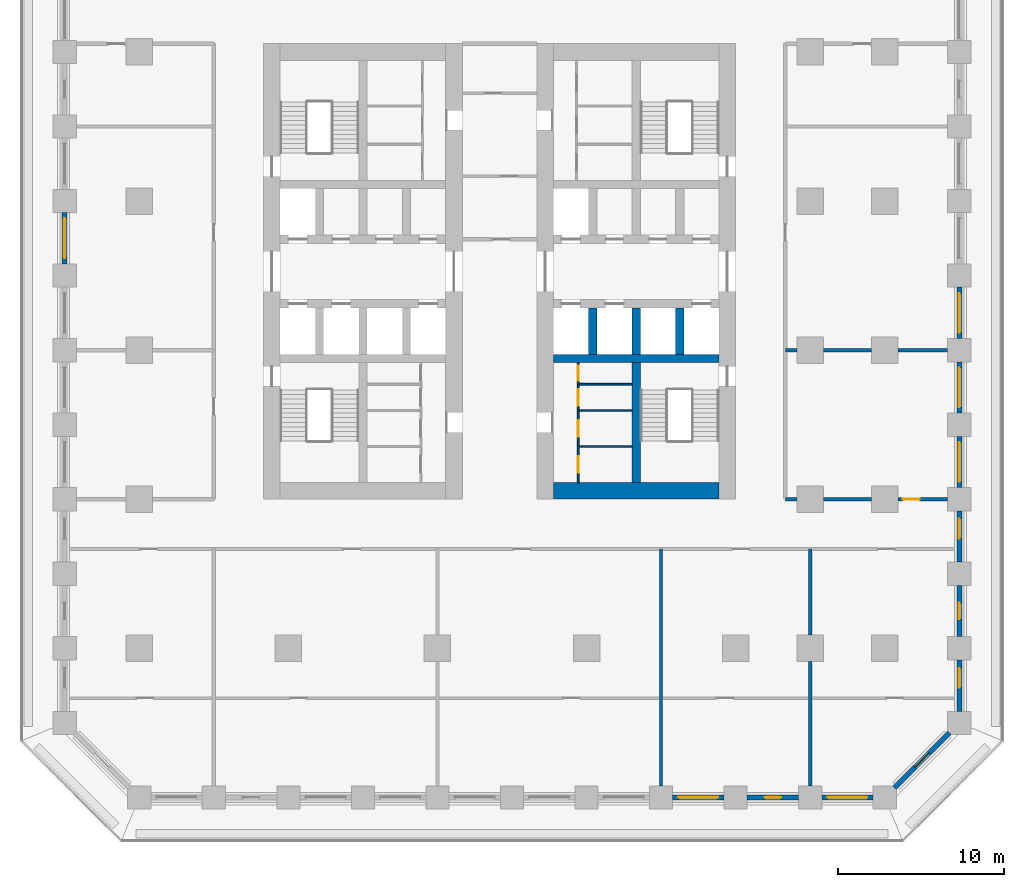
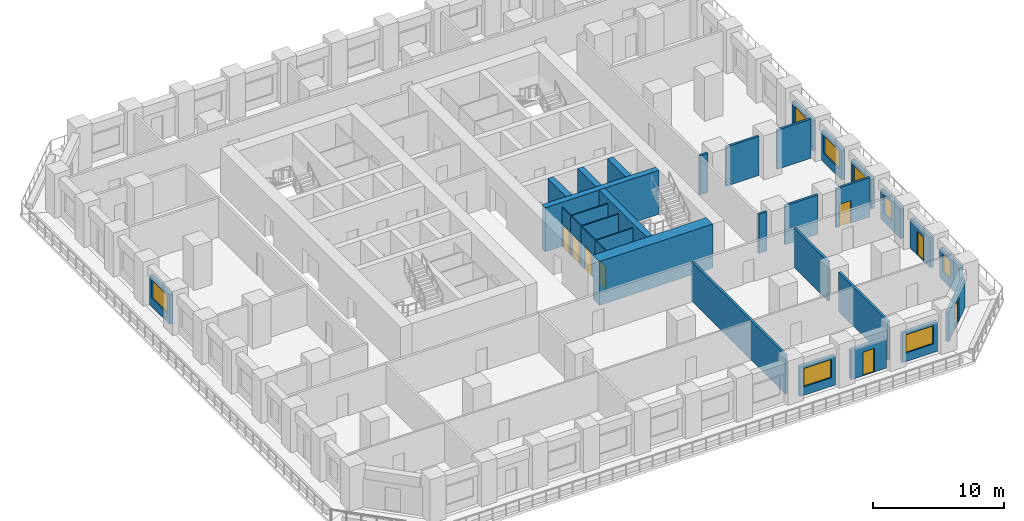
# One storey, part 4 of 11: 33 walls, 8 doors, 8 windows, 16 openings.
"""IFC4 building model written with IfcOpenShell, lengths in metres."""

import ifcopenshell
import ifcopenshell.guid

model = None  # the IFC model being written
_history = None  # IfcOwnerHistory: only IFC2X3 demands one
_inside = {}  # id of a spatial element -> (the spatial element, [elements in it])
_under = {}  # id of a project, library or spatial element -> (it, [spatial elements below it])
_declared = {}  # id of a project -> (the project, [libraries it declares])
_typed = {}  # id of a type object -> (the type object, [elements of that type])
_made_of = {}  # id of a material, layer set ... -> (it, [elements and type objects made of it])


def new_model(schema):
    """Start an empty IFC model of exactly this schema.

    Asked for "IFC4X3", IfcOpenShell would pick the latest addendum, in which some entities
    have other attributes; the version numbers below select the first issue.
    IFC2X3 requires an IfcOwnerHistory on every rooted entity: one is made here for all.
    """
    global model, _history
    if schema == "IFC4X3":
        model = ifcopenshell.file(schema_version=(4, 3, 0, 0))
    else:
        model = ifcopenshell.file(schema=schema)
    _inside.clear()
    _under.clear()
    _declared.clear()
    _typed.clear()
    _made_of.clear()
    _history = None
    if model.schema == "IFC2X3":
        org = make("IfcOrganization", Name="unknown")
        user = make(
            "IfcPersonAndOrganization",
            ThePerson=make("IfcPerson", FamilyName="unknown"),
            TheOrganization=org,
        )
        app = make(
            "IfcApplication",
            ApplicationDeveloper=org,
            Version="unknown",
            ApplicationFullName="unknown",
            ApplicationIdentifier="unknown",
        )
        _history = make(
            "IfcOwnerHistory",
            OwningUser=user,
            OwningApplication=app,
            ChangeAction="ADDED",
            CreationDate=0,
        )
    return model


def make(cls, **values):
    """One entity of the class cls with the attributes given. An attribute that is None is left unset."""
    return model.create_entity(
        cls, **{name: value for name, value in values.items() if value is not None}
    )


def rooted(cls, **values):
    """An entity with a GlobalId (a new one), such as an element, a storey or a relation."""
    return make(cls, GlobalId=ifcopenshell.guid.new(), OwnerHistory=_history, **values)


def si_unit(unit_type, name, prefix=None):
    """IfcSIUnit, for example si_unit("LENGTHUNIT", "METRE", prefix="MILLI")."""
    return make("IfcSIUnit", UnitType=unit_type, Prefix=prefix, Name=name)


def assignment(units):
    """IfcUnitAssignment: the units of a project."""
    return None if units is None else make("IfcUnitAssignment", Units=units)


def point(xyz):
    """IfcCartesianPoint."""
    return None if xyz is None else make("IfcCartesianPoint", Coordinates=xyz)


def direction(xyz):
    """IfcDirection."""
    return None if xyz is None else make("IfcDirection", DirectionRatios=xyz)


def frame(location, z_axis=None, x_axis=None):
    """IfcAxis2Placement3D, a coordinate frame: its origin and axes. An axis left out is left unset."""
    return make(
        "IfcAxis2Placement3D",
        Location=point(location),
        Axis=direction(z_axis),
        RefDirection=direction(x_axis),
    )


def frame_2d(location, x_axis=None):
    """IfcAxis2Placement2D, a coordinate frame in the plane: its origin and x axis."""
    return make(
        "IfcAxis2Placement2D", Location=point(location), RefDirection=direction(x_axis)
    )


def origin():
    """The frame at (0, 0, 0) with its axes left unset."""
    return frame((0.0, 0.0, 0.0))


def place(relative_to, where):
    """IfcLocalPlacement: puts the frame where relative to a parent placement (None: the world)."""
    return make(
        "IfcLocalPlacement", PlacementRelTo=relative_to, RelativePlacement=where
    )


def context(
    kind, dimensions, precision=None, world=None, true_north=None, identifier=None
):
    """IfcGeometricRepresentationContext, for example the 3D "Model" context."""
    return make(
        "IfcGeometricRepresentationContext",
        ContextIdentifier=identifier,
        ContextType=kind,
        CoordinateSpaceDimension=dimensions,
        Precision=precision,
        WorldCoordinateSystem=world,
        TrueNorth=true_north,
    )


def subcontext(parent, identifier, kind, view, scale=None):
    """IfcGeometricRepresentationSubContext, for example "Body" below "Model"."""
    return make(
        "IfcGeometricRepresentationSubContext",
        ContextIdentifier=identifier,
        ContextType=kind,
        ParentContext=parent,
        TargetScale=scale,
        TargetView=view,
    )


def project(units=None, contexts=None):
    """IfcProject with its units and contexts."""
    return rooted(
        "IfcProject",
        Name="project",
        RepresentationContexts=contexts,
        UnitsInContext=assignment(units),
    )


def spatial(cls, under=None, at=None, **own):
    """A site, building, storey or space (cls), placed at a placement, below another one or the project."""
    s = rooted(cls, ObjectPlacement=at, **own)
    if under is not None:
        _under.setdefault(under.id(), (under, []))[1].append(s)
    return s


def profile(cls, at=None, kind="AREA", **sizes):
    """A parametric profile (cls). Its sizes go by their IFC names, for example OverallWidth=200.0."""
    return make(cls, ProfileType=kind, Position=at, **sizes)


def rectangle(**sizes):
    """IfcRectangleProfileDef."""
    return profile("IfcRectangleProfileDef", **sizes)


def extrude(swept, where, along, depth):
    """IfcExtrudedAreaSolid: the profile swept, set in the frame where, extruded along a direction by depth."""
    return make(
        "IfcExtrudedAreaSolid",
        SweptArea=swept,
        Position=where,
        ExtrudedDirection=direction(along),
        Depth=depth,
    )


def shape(context_of_items, identifier, shape_type, items):
    """IfcShapeRepresentation: the items that make up one representation, for example the "Body"."""
    return make(
        "IfcShapeRepresentation",
        ContextOfItems=context_of_items,
        RepresentationIdentifier=identifier,
        RepresentationType=shape_type,
        Items=items,
    )


def material(Name=None, Category=None):
    """IfcMaterial."""
    return make("IfcMaterial", Name=Name, Category=Category)


def layer(
    of_material, thickness, ventilated=None, Name=None, Category=None, Priority=None
):
    """IfcMaterialLayer: one layer of a wall or slab, of a material (None: an air gap)."""
    return make(
        "IfcMaterialLayer",
        Material=of_material,
        LayerThickness=thickness,
        IsVentilated=ventilated,
        Name=Name,
        Category=Category,
        Priority=Priority,
    )


def layer_set(layers, Name=None):
    """IfcMaterialLayerSet."""
    return make("IfcMaterialLayerSet", MaterialLayers=layers, LayerSetName=Name)


def made_of(thing, what):
    """Note that an element or type object is made of a material, layer set ...; save() writes the relation."""
    if what is not None:
        _made_of.setdefault(what.id(), (what, []))[1].append(thing)
    return thing


def type_object(cls, material=None, **own):
    """A type object (cls), such as IfcWallType, which elements share."""
    return made_of(rooted(cls, **own), material)


def element(
    cls,
    number,
    at=None,
    inside=None,
    cuts=None,
    type_object=None,
    material=None,
    context=None,
    identifier="Body",
    shape_type=None,
    held_by="IfcProductDefinitionShape",
    body=None,
    shapes=None,
    **own,
):
    """One element of the class cls, such as IfcWall. Its Tag is "e" and its number.

    at: its placement. inside: the storey or other place that contains it. cuts: it is an
    opening in that element (IfcRelVoidsElement). A single representation is given by context,
    identifier, shape_type and body (its items); several are given by shapes. held_by: the class
    of the entity that holds the representations. save() writes the other relations.
    """
    e = rooted(cls, Tag="e%d" % number, ObjectPlacement=at, **own)
    if body is not None:
        shapes = [shape(context, identifier, shape_type, body)]
    if shapes is not None:
        e.Representation = make(held_by, Representations=shapes)
    if inside is not None:
        _inside.setdefault(inside.id(), (inside, []))[1].append(e)
    if cuts is not None:
        rooted(
            "IfcRelVoidsElement", RelatingBuildingElement=cuts, RelatedOpeningElement=e
        )
    if type_object is not None:
        _typed.setdefault(type_object.id(), (type_object, []))[1].append(e)
    return made_of(e, material)


def fill(opening, filler):
    """IfcRelFillsElement: the door or window that sits in an opening."""
    return rooted(
        "IfcRelFillsElement",
        RelatingOpeningElement=opening,
        RelatedBuildingElement=filler,
    )


def aggregate(whole, parts):
    """IfcRelAggregates: a whole, such as a stair, and the parts it consists of."""
    return rooted("IfcRelAggregates", RelatingObject=whole, RelatedObjects=parts)


def save(model, path):
    """Write the relations noted so far, then the file.

    IfcRelAggregates (storeys below a building ...), IfcRelContainedInSpatialStructure (elements
    in a storey), IfcRelDefinesByType, IfcRelAssociatesMaterial and IfcRelDeclares: one each for
    every whole, place, type object, material and project.
    """
    for whole, parts in _under.values():
        aggregate(whole, parts)
    for where, things in _inside.values():
        rooted(
            "IfcRelContainedInSpatialStructure",
            RelatedElements=things,
            RelatingStructure=where,
        )
    for kind, things in _typed.values():
        rooted("IfcRelDefinesByType", RelatedObjects=things, RelatingType=kind)
    for what, things in _made_of.values():
        rooted("IfcRelAssociatesMaterial", RelatedObjects=things, RelatingMaterial=what)
    for by, libraries in _declared.values():
        rooted("IfcRelDeclares", RelatingContext=by, RelatedDefinitions=libraries)
    model.write(path)


model = new_model("IFC4")

# Units and contexts
model_context = context("Model", 3, precision=1e-05, world=origin(), true_north=direction((0.0, 1.0)))
body_context = subcontext(model_context, "Body", "Model", "MODEL_VIEW")
ifc_project = project(units=[si_unit("LENGTHUNIT", "METRE"), si_unit("AREAUNIT", "SQUARE_METRE"), si_unit("VOLUMEUNIT", "CUBIC_METRE"), si_unit("PLANEANGLEUNIT", "RADIAN"), si_unit("MASSUNIT", "GRAM", prefix="KILO")], contexts=[model_context])

# Site, building, storey
site_placement = place(None, origin())
site = spatial("IfcSite", under=ifc_project, at=site_placement, CompositionType="ELEMENT")
building_placement = place(site_placement, origin())
building = spatial("IfcBuilding", under=site, at=building_placement, Name="Corbel Stack Research Tower", CompositionType="ELEMENT")
storey_placement = place(building_placement, frame((0.0, 0.0, 46.0)))
storey = spatial("IfcBuildingStorey", under=building, at=storey_placement, Name="L10", CompositionType="ELEMENT", Elevation=46.0)

# Walls
ifc_material_1 = material(Name="Concrete C70/85", Category="concrete")
ifc_layer_1 = layer(ifc_material_1, 1.0)
ifc_layer_set_1 = layer_set([ifc_layer_1], Name="Concrete C70/85")
wall_type_1 = type_object("IfcWallType", Name="CW-1000-70", PredefinedType="SHEAR", material=ifc_layer_set_1)
wall_1_placement = place(storey_placement, frame((7.0, -8.5, 0.0), z_axis=(0.0, 0.0, 1.0), x_axis=(1.0, 0.0, 0.0)))
element("IfcWall", 1, at=wall_1_placement, inside=storey, type_object=wall_type_1, Name="East core wall, south end L10", PredefinedType="SHEAR", context=body_context, shape_type="SweptSolid", body=[
    extrude(rectangle(XDim=10.0, YDim=1.0, at=frame_2d((5.0, 0.0))), origin(), (0.0, 0.0, 1.0), 4.10009765625),
])
ifc_material_2 = material(Name="Concrete C70/85", Category="concrete")
ifc_layer_2 = layer(ifc_material_2, 0.5)
ifc_layer_set_2 = layer_set([ifc_layer_2], Name="Concrete C70/85")
wall_type_2 = type_object("IfcWallType", Name="CW-500-70", PredefinedType="SHEAR", material=ifc_layer_set_2)
wall_2_placement = place(storey_placement, frame((7.0, -0.5, 0.0), z_axis=(0.0, 0.0, 1.0), x_axis=(1.0, 0.0, 0.0)))
element("IfcWall", 2, at=wall_2_placement, inside=storey, type_object=wall_type_2, Name="East core wall, south row back L10", PredefinedType="SHEAR", context=body_context, shape_type="SweptSolid", body=[
    extrude(rectangle(XDim=10.0, YDim=0.5, at=frame_2d((5.0, 0.0))), origin(), (0.0, 0.0, 1.0), 4.10009765625),
])
for number, where, z_axis, x_axis, name in (
    (3, (9.375, -0.25, 0.0), (0.0, 0.0, 1.0), (0.0, 1.0, 0.0), "East core wall, south shaft 1 L10"),
    (4, (12.0, -0.25, 0.0), (0.0, 0.0, 1.0), (0.0, 1.0, 0.0), "East core wall, south shaft 2 L10"),
    (5, (14.625, -0.25, 0.0), (0.0, 0.0, 1.0), (0.0, 1.0, 0.0), "East core wall, south shaft 3 L10"),
):
    element("IfcWall", number, at=place(storey_placement, frame(where, z_axis=z_axis, x_axis=x_axis)), inside=storey, type_object=wall_type_2, Name=name, PredefinedType="SHEAR", context=body_context, shape_type="SweptSolid", body=[
        extrude(rectangle(XDim=2.800048828125, YDim=0.5, at=frame_2d((1.39990234375, 0.0))), origin(), (0.0, 0.0, 1.0), 4.10009765625),
    ])
wall_3_placement = place(storey_placement, frame((12.0, -8.0, 0.0), z_axis=(0.0, 0.0, 1.0), x_axis=(0.0, 1.0, 0.0)))
element("IfcWall", 6, at=wall_3_placement, inside=storey, type_object=wall_type_2, Name="East core wall, south stair and WC L10", PredefinedType="SHEAR", context=body_context, shape_type="SweptSolid", body=[
    extrude(rectangle(XDim=7.25, YDim=0.5, at=frame_2d((3.625, 0.0))), origin(), (0.0, 0.0, 1.0), 4.10009765625),
])

# Wall, opening, door
ifc_material_3 = material(Name="Gypsum board")
ifc_layer_3 = layer(ifc_material_3, 0.10009765625)
ifc_layer_set_3 = layer_set([ifc_layer_3], Name="Gypsum board")
wall_type_3 = type_object("IfcWallType", Name="Core partition 100", PredefinedType="PARTITIONING", material=ifc_layer_set_3)
wall_4_placement = place(storey_placement, frame((8.5, -8.0, 0.0), z_axis=(0.0, 0.0, 1.0), x_axis=(0.0, 1.0, 0.0)))
wall_4 = element("IfcWall", 7, at=wall_4_placement, inside=storey, type_object=wall_type_3, Name="Core partition E", PredefinedType="PARTITIONING", context=body_context, shape_type="SweptSolid", body=[
    extrude(rectangle(XDim=2.175048828125, YDim=0.10009765625, at=frame_2d((1.08740234375, 0.0))), origin(), (0.0, 0.0, 1.0), 3.64990234375),
])
opening_1_placement = place(wall_4_placement, frame((0.58740234375, 0.0, 0.0)))
opening_1 = element("IfcOpeningElement", 8, at=opening_1_placement, cuts=wall_4, Name="Opening CR-E42-W2-1000", PredefinedType="OPENING", context=body_context, shape_type="SweptSolid", body=[
    extrude(rectangle(XDim=1.0, YDim=2.10009765625, at=frame_2d((0.5, 1.050048828125))), frame((0.0, 0.06005859375, 0.0), z_axis=(0.0, -1.0, 0.0), x_axis=(1.0, 0.0, 0.0)), (0.0, 0.0, 1.0), 0.1201171875),
])
ifc_material_4 = material(Name="Painted timber door", Category="wood")
door_type_1 = type_object("IfcDoorType", Name="WC door 1000 x 2100 left hand", OperationType="SINGLE_SWING_LEFT", PredefinedType="DOOR", material=ifc_material_4)
door_1_placement = place(opening_1_placement, origin())
door_1 = element("IfcDoor", 9, at=door_1_placement, inside=storey, type_object=door_type_1, Name="Men's WC door E core", OperationType="SINGLE_SWING_LEFT", OverallHeight=2.10009765625, OverallWidth=1.0, PredefinedType="DOOR", context=body_context, shape_type="SweptSolid", body=[
    extrude(rectangle(XDim=1.0, YDim=2.10009765625, at=frame_2d((0.5, 1.050048828125))), frame((0.0, 0.02490234375, 0.0), z_axis=(0.0, -1.0, 0.0), x_axis=(1.0, 0.0, 0.0)), (0.0, 0.0, 1.0), 0.050048828125),
])
fill(opening_1, door_1)

wall_5_placement = place(storey_placement, frame((8.5, -5.824951171875, 0.0), z_axis=(0.0, 0.0, 1.0), x_axis=(0.0, 1.0, 0.0)))
wall_5 = element("IfcWall", 10, at=wall_5_placement, inside=storey, type_object=wall_type_3, Name="Core partition E", PredefinedType="PARTITIONING", context=body_context, shape_type="SweptSolid", body=[
    extrude(rectangle(XDim=2.175048828125, YDim=0.10009765625, at=frame_2d((1.08740234375, 0.0))), origin(), (0.0, 0.0, 1.0), 3.64990234375),
])
opening_2_placement = place(wall_5_placement, frame((0.58740234375, 0.0, 0.0)))
opening_2 = element("IfcOpeningElement", 11, at=opening_2_placement, cuts=wall_5, Name="Opening CR-E42-W3-1000", PredefinedType="OPENING", context=body_context, shape_type="SweptSolid", body=[
    extrude(rectangle(XDim=1.0, YDim=2.10009765625, at=frame_2d((0.5, 1.050048828125))), frame((0.0, 0.06005859375, 0.0), z_axis=(0.0, -1.0, 0.0), x_axis=(1.0, 0.0, 0.0)), (0.0, 0.0, 1.0), 0.1201171875),
])
ifc_material_5 = material(Name="Painted timber door", Category="wood")
door_type_2 = type_object("IfcDoorType", Name="WC door 1000 x 2100 right hand", OperationType="SINGLE_SWING_RIGHT", PredefinedType="DOOR", material=ifc_material_5)
door_2_placement = place(opening_2_placement, origin())
door_2 = element("IfcDoor", 12, at=door_2_placement, inside=storey, type_object=door_type_2, Name="Women's WC door E core", OperationType="SINGLE_SWING_RIGHT", OverallHeight=2.10009765625, OverallWidth=1.0, PredefinedType="DOOR", context=body_context, shape_type="SweptSolid", body=[
    extrude(rectangle(XDim=1.0, YDim=2.10009765625, at=frame_2d((0.5, 1.050048828125))), frame((0.0, 0.02490234375, 0.0), z_axis=(0.0, -1.0, 0.0), x_axis=(1.0, 0.0, 0.0)), (0.0, 0.0, 1.0), 0.050048828125),
])
fill(opening_2, door_2)

wall_6_placement = place(storey_placement, frame((8.5, -3.64990234375, 0.0), z_axis=(0.0, 0.0, 1.0), x_axis=(0.0, 1.0, 0.0)))
wall_6 = element("IfcWall", 13, at=wall_6_placement, inside=storey, type_object=wall_type_3, Name="Core partition E", PredefinedType="PARTITIONING", context=body_context, shape_type="SweptSolid", body=[
    extrude(rectangle(XDim=1.594970703125, YDim=0.10009765625, at=frame_2d((0.79736328125, 0.0))), origin(), (0.0, 0.0, 1.0), 3.64990234375),
])
opening_3_placement = place(wall_6_placement, frame((0.297607421875, 0.0, 0.0)))
opening_3 = element("IfcOpeningElement", 14, at=opening_3_placement, cuts=wall_6, Name="Opening CR-E42-W4-1000", PredefinedType="OPENING", context=body_context, shape_type="SweptSolid", body=[
    extrude(rectangle(XDim=1.0, YDim=2.10009765625, at=frame_2d((0.5, 1.050048828125))), frame((0.0, 0.06005859375, 0.0), z_axis=(0.0, -1.0, 0.0), x_axis=(1.0, 0.0, 0.0)), (0.0, 0.0, 1.0), 0.1201171875),
])
door_3_placement = place(opening_3_placement, origin())
door_3 = element("IfcDoor", 15, at=door_3_placement, inside=storey, type_object=door_type_1, Name="Accessible WC door E core", OperationType="SINGLE_SWING_LEFT", OverallHeight=2.10009765625, OverallWidth=1.0, PredefinedType="DOOR", context=body_context, shape_type="SweptSolid", body=[
    extrude(rectangle(XDim=1.0, YDim=2.10009765625, at=frame_2d((0.5, 1.050048828125))), frame((0.0, 0.02490234375, 0.0), z_axis=(0.0, -1.0, 0.0), x_axis=(1.0, 0.0, 0.0)), (0.0, 0.0, 1.0), 0.050048828125),
])
fill(opening_3, door_3)

wall_7_placement = place(storey_placement, frame((8.5, -2.054931640625, 0.0), z_axis=(0.0, 0.0, 1.0), x_axis=(0.0, 1.0, 0.0)))
wall_7 = element("IfcWall", 16, at=wall_7_placement, inside=storey, type_object=wall_type_3, Name="Core partition E", PredefinedType="PARTITIONING", context=body_context, shape_type="SweptSolid", body=[
    extrude(rectangle(XDim=1.304931640625, YDim=0.10009765625, at=frame_2d((0.65234375, 0.0))), origin(), (0.0, 0.0, 1.0), 3.64990234375),
])
opening_4_placement = place(wall_7_placement, frame((0.199951171875, 0.0, 0.0)))
opening_4 = element("IfcOpeningElement", 17, at=opening_4_placement, cuts=wall_7, Name="Opening CR-E42-W5-905", PredefinedType="OPENING", context=body_context, shape_type="SweptSolid", body=[
    extrude(rectangle(XDim=0.905029296875, YDim=2.10009765625, at=frame_2d((0.45263671875, 1.050048828125))), frame((0.0, 0.06005859375, 0.0), z_axis=(0.0, -1.0, 0.0), x_axis=(1.0, 0.0, 0.0)), (0.0, 0.0, 1.0), 0.1201171875),
])
ifc_material_6 = material(Name="Painted steel door", Category="steel")
door_type_3 = type_object("IfcDoorType", Name="Service door 905 x 2100 FD30 right hand", OperationType="SINGLE_SWING_RIGHT", PredefinedType="DOOR", material=ifc_material_6)
door_4_placement = place(opening_4_placement, origin())
door_4 = element("IfcDoor", 18, at=door_4_placement, inside=storey, type_object=door_type_3, Name="Cleaner's store door E core", OperationType="SINGLE_SWING_RIGHT", OverallHeight=2.10009765625, OverallWidth=0.905029296875, PredefinedType="DOOR", context=body_context, shape_type="SweptSolid", body=[
    extrude(rectangle(XDim=0.905029296875, YDim=2.10009765625, at=frame_2d((0.45263671875, 1.050048828125))), frame((0.0, 0.02490234375, 0.0), z_axis=(0.0, -1.0, 0.0), x_axis=(1.0, 0.0, 0.0)), (0.0, 0.0, 1.0), 0.050048828125),
])
fill(opening_4, door_4)

# Walls
for number, where, z_axis, x_axis, name in (
    (19, (8.5, -5.824951171875, 0.0), (0.0, 0.0, 1.0), (1.0, 0.0, 0.0), "Core partition E"),
    (20, (8.5, -3.64990234375, 0.0), (0.0, 0.0, 1.0), (1.0, 0.0, 0.0), "Core partition E"),
    (21, (8.5, -2.054931640625, 0.0), (0.0, 0.0, 1.0), (1.0, 0.0, 0.0), "Core partition E"),
):
    element("IfcWall", number, at=place(storey_placement, frame(where, z_axis=z_axis, x_axis=x_axis)), inside=storey, type_object=wall_type_3, Name=name, PredefinedType="PARTITIONING", context=body_context, shape_type="SweptSolid", body=[
        extrude(rectangle(XDim=3.25, YDim=0.10009765625, at=frame_2d((1.625, 0.0))), origin(), (0.0, 0.0, 1.0), 3.64990234375),
    ])
ifc_material_7 = material(Name="Fire-rated gypsum board partition on steel studs", Category="steel")
ifc_layer_4 = layer(ifc_material_7, 0.199951171875)
ifc_layer_set_4 = layer_set([ifc_layer_4], Name="Fire-rated gypsum board partition on steel studs")
wall_type_4 = type_object("IfcWallType", Name="Fire-rated partition 200 EI 60", PredefinedType="PARTITIONING", material=ifc_layer_set_4)
wall_8_placement = place(storey_placement, frame((13.5, -26.300048828125, 0.0), z_axis=(0.0, 0.0, 1.0), x_axis=(0.0, 1.0, 0.0)))
element("IfcWall", 22, at=wall_8_placement, inside=storey, type_object=wall_type_4, Name="Partition L10-007", PredefinedType="PARTITIONING", context=body_context, shape_type="SweptSolid", body=[
    extrude(rectangle(XDim=14.300048828125, YDim=0.199951171875, at=frame_2d((7.14990234375, 0.0))), origin(), (0.0, 0.0, 1.0), 3.64990234375),
])
wall_9_placement = place(storey_placement, frame((22.5, -26.300048828125, 0.0), z_axis=(0.0, 0.0, 1.0), x_axis=(0.0, 1.0, 0.0)))
element("IfcWall", 23, at=wall_9_placement, inside=storey, type_object=wall_type_4, Name="Partition L10-010", PredefinedType="PARTITIONING", context=body_context, shape_type="SweptSolid", body=[
    extrude(rectangle(XDim=7.5, YDim=0.199951171875, at=frame_2d((3.75, 0.0))), origin(), (0.0, 0.0, 1.0), 3.64990234375),
])
wall_10_placement = place(storey_placement, frame((22.5, -17.199951171875, 0.0), z_axis=(0.0, 0.0, 1.0), x_axis=(0.0, 1.0, 0.0)))
element("IfcWall", 24, at=wall_10_placement, inside=storey, type_object=wall_type_4, Name="Partition L10-011", PredefinedType="PARTITIONING", context=body_context, shape_type="SweptSolid", body=[
    extrude(rectangle(XDim=5.199951171875, YDim=0.199951171875, at=frame_2d((2.60009765625, 0.0))), origin(), (0.0, 0.0, 1.0), 3.64990234375),
])
wall_11_placement = place(storey_placement, frame((21.0, -9.0, 0.0), z_axis=(0.0, 0.0, 1.0), x_axis=(1.0, 0.0, 0.0)))
element("IfcWall", 25, at=wall_11_placement, inside=storey, type_object=wall_type_4, Name="Partition L10-017", PredefinedType="PARTITIONING", context=body_context, shape_type="SweptSolid", body=[
    extrude(rectangle(XDim=0.699951171875, YDim=0.199951171875, at=frame_2d((0.35009765625, 0.0))), origin(), (0.0, 0.0, 1.0), 3.64990234375),
])
wall_12_placement = place(storey_placement, frame((23.300048828125, -9.0, 0.0), z_axis=(0.0, 0.0, 1.0), x_axis=(1.0, 0.0, 0.0)))
element("IfcWall", 26, at=wall_12_placement, inside=storey, type_object=wall_type_4, Name="Partition L10-018", PredefinedType="PARTITIONING", context=body_context, shape_type="SweptSolid", body=[
    extrude(rectangle(XDim=2.89990234375, YDim=0.199951171875, at=frame_2d((1.449951171875, 0.0))), origin(), (0.0, 0.0, 1.0), 3.64990234375),
])

# Wall, opening, door
wall_13_placement = place(storey_placement, frame((27.800048828125, -9.0, 0.0), z_axis=(0.0, 0.0, 1.0), x_axis=(1.0, 0.0, 0.0)))
wall_13 = element("IfcWall", 27, at=wall_13_placement, inside=storey, type_object=wall_type_4, Name="Partition L10-019", PredefinedType="PARTITIONING", context=body_context, shape_type="SweptSolid", body=[
    extrude(rectangle(XDim=3.0, YDim=0.199951171875, at=frame_2d((1.5, 0.0))), origin(), (0.0, 0.0, 1.0), 3.64990234375),
])
opening_5_placement = place(wall_13_placement, frame((0.300048828125, 0.0, 0.0)))
opening_5 = element("IfcOpeningElement", 28, at=opening_5_placement, cuts=wall_13, Name="Opening B2V1-013", PredefinedType="OPENING", context=body_context, shape_type="SweptSolid", body=[
    extrude(rectangle(XDim=1.0, YDim=2.10009765625, at=frame_2d((0.5, 1.050048828125))), frame((0.0, 0.10986328125, 0.0), z_axis=(0.0, -1.0, 0.0), x_axis=(1.0, 0.0, 0.0)), (0.0, 0.0, 1.0), 0.219970703125),
])
ifc_material_8 = material(Name="Painted steel fire door", Category="steel")
door_type_4 = type_object("IfcDoorType", Name="Fire door FD30S 1000 x 2100", OperationType="NOTDEFINED", PredefinedType="DOOR", material=ifc_material_8)
door_5_placement = place(opening_5_placement, origin())
door_5 = element("IfcDoor", 29, at=door_5_placement, inside=storey, type_object=door_type_4, Name="Door B2V1-013", OperationType="SINGLE_SWING_LEFT", OverallHeight=2.10009765625, OverallWidth=1.0, PredefinedType="DOOR", context=body_context, shape_type="SweptSolid", body=[
    extrude(rectangle(XDim=1.0, YDim=2.10009765625, at=frame_2d((0.5, 1.050048828125))), frame((0.0, 0.02490234375, 0.0), z_axis=(0.0, -1.0, 0.0), x_axis=(1.0, 0.0, 0.0)), (0.0, 0.0, 1.0), 0.050048828125),
])
fill(opening_5, door_5)

# Walls
wall_14_placement = place(storey_placement, frame((21.0, 0.0, 0.0), z_axis=(0.0, 0.0, 1.0), x_axis=(1.0, 0.0, 0.0)))
element("IfcWall", 30, at=wall_14_placement, inside=storey, type_object=wall_type_4, Name="Partition L10-022", PredefinedType="PARTITIONING", context=body_context, shape_type="SweptSolid", body=[
    extrude(rectangle(XDim=0.699951171875, YDim=0.199951171875, at=frame_2d((0.35009765625, 0.0))), origin(), (0.0, 0.0, 1.0), 3.64990234375),
])
wall_15_placement = place(storey_placement, frame((23.300048828125, 0.0, 0.0), z_axis=(0.0, 0.0, 1.0), x_axis=(1.0, 0.0, 0.0)))
element("IfcWall", 31, at=wall_15_placement, inside=storey, type_object=wall_type_4, Name="Partition L10-023", PredefinedType="PARTITIONING", context=body_context, shape_type="SweptSolid", body=[
    extrude(rectangle(XDim=2.89990234375, YDim=0.199951171875, at=frame_2d((1.449951171875, 0.0))), origin(), (0.0, 0.0, 1.0), 3.64990234375),
])
wall_16_placement = place(storey_placement, frame((27.800048828125, 0.0, 0.0), z_axis=(0.0, 0.0, 1.0), x_axis=(1.0, 0.0, 0.0)))
element("IfcWall", 32, at=wall_16_placement, inside=storey, type_object=wall_type_4, Name="Partition L10-024", PredefinedType="PARTITIONING", context=body_context, shape_type="SweptSolid", body=[
    extrude(rectangle(XDim=3.0, YDim=0.199951171875, at=frame_2d((1.5, 0.0))), origin(), (0.0, 0.0, 1.0), 3.64990234375),
])

# Wall, opening, window
ifc_material_9 = material(Name="Concrete C45/55", Category="concrete")
ifc_layer_5 = layer(ifc_material_9, 0.300048828125)
ifc_layer_set_5 = layer_set([ifc_layer_5], Name="Concrete C45/55")
wall_type_5 = type_object("IfcWallType", Name="Terracotta-faced concrete wall 300", PredefinedType="SOLIDWALL", material=ifc_layer_set_5)
wall_17_placement = place(storey_placement, frame((17.300048828125, -27.0, 0.0), z_axis=(0.0, 0.0, 1.0), x_axis=(-1.0, 0.0, 0.0)))
wall_17 = element("IfcWall", 33, at=wall_17_placement, inside=storey, type_object=wall_type_5, Name="Facade wall L10 S08", PredefinedType="SOLIDWALL", context=body_context, shape_type="SweptSolid", body=[
    extrude(rectangle(XDim=3.10009765625, YDim=0.300048828125, at=frame_2d((1.550048828125, 0.0))), origin(), (0.0, 0.0, 1.0), 2.75),
])
opening_6_placement = place(wall_17_placement, frame((0.35009765625, 0.0, 0.800048828125)))
opening_6 = element("IfcOpeningElement", 34, at=opening_6_placement, cuts=wall_17, Name="Opening W1", PredefinedType="OPENING", context=body_context, shape_type="SweptSolid", body=[
    extrude(rectangle(XDim=2.39990234375, YDim=1.699951171875, at=frame_2d((1.199951171875, 0.85009765625))), frame((0.0, 0.159912109375, 0.0), z_axis=(0.0, -1.0, 0.0), x_axis=(1.0, 0.0, 0.0)), (0.0, 0.0, 1.0), 0.320068359375),
])
ifc_material_10 = material(Name="Aluminium frame, clear double glazing", Category="aluminium")
window_type_1 = type_object("IfcWindowType", Name="Window W1 2400 x 1700", PartitioningType="SINGLE_PANEL", PredefinedType="WINDOW", material=ifc_material_10)
window_1_placement = place(opening_6_placement, origin())
window_1 = element("IfcWindow", 35, at=window_1_placement, inside=storey, type_object=window_type_1, Name="Window W1 L10 S08", OverallHeight=1.699951171875, OverallWidth=2.39990234375, PartitioningType="SINGLE_PANEL", PredefinedType="WINDOW", context=body_context, shape_type="SweptSolid", body=[
    extrude(rectangle(XDim=2.39990234375, YDim=1.699951171875, at=frame_2d((1.199951171875, 0.85009765625))), frame((0.0, 0.030029296875, 0.0), z_axis=(0.0, -1.0, 0.0), x_axis=(1.0, 0.0, 0.0)), (0.0, 0.0, 1.0), 0.06005859375),
])
fill(opening_6, window_1)

# Wall, opening, door
wall_18_placement = place(storey_placement, frame((21.800048828125, -27.0, 0.0), z_axis=(0.0, 0.0, 1.0), x_axis=(-1.0, 0.0, 0.0)))
wall_18 = element("IfcWall", 36, at=wall_18_placement, inside=storey, type_object=wall_type_5, Name="Facade wall L10 S09", PredefinedType="SOLIDWALL", context=body_context, shape_type="SweptSolid", body=[
    extrude(rectangle(XDim=3.10009765625, YDim=0.300048828125, at=frame_2d((1.550048828125, 0.0))), origin(), (0.0, 0.0, 1.0), 2.75),
])
opening_7_placement = place(wall_18_placement, frame((1.050048828125, 0.0, 0.0)))
opening_7 = element("IfcOpeningElement", 37, at=opening_7_placement, cuts=wall_18, Name="Opening L10-B02", PredefinedType="OPENING", context=body_context, shape_type="SweptSolid", body=[
    extrude(rectangle(XDim=1.0, YDim=2.199951171875, at=frame_2d((0.5, 1.10009765625))), frame((0.0, 0.159912109375, 0.0), z_axis=(0.0, -1.0, 0.0), x_axis=(1.0, 0.0, 0.0)), (0.0, 0.0, 1.0), 0.320068359375),
])
ifc_material_11 = material(Name="Aluminium frame, clear double glazing", Category="aluminium")
door_type_5 = type_object("IfcDoorType", Name="Balcony door BD1 1000 x 2200", OperationType="NOTDEFINED", PredefinedType="DOOR", material=ifc_material_11)
door_6_placement = place(opening_7_placement, origin())
door_6 = element("IfcDoor", 38, at=door_6_placement, inside=storey, type_object=door_type_5, Name="Balcony door L10-B02", OperationType="SINGLE_SWING_LEFT", OverallHeight=2.199951171875, OverallWidth=1.0, PredefinedType="DOOR", context=body_context, shape_type="SweptSolid", body=[
    extrude(rectangle(XDim=1.0, YDim=2.199951171875, at=frame_2d((0.5, 1.10009765625))), frame((0.0, 0.02490234375, 0.0), z_axis=(0.0, -1.0, 0.0), x_axis=(1.0, 0.0, 0.0)), (0.0, 0.0, 1.0), 0.050048828125),
])
fill(opening_7, door_6)

# Wall, opening, window
wall_19_placement = place(storey_placement, frame((26.300048828125, -27.0, 0.0), z_axis=(0.0, 0.0, 1.0), x_axis=(-1.0, 0.0, 0.0)))
wall_19 = element("IfcWall", 39, at=wall_19_placement, inside=storey, type_object=wall_type_5, Name="Facade wall L10 S10", PredefinedType="SOLIDWALL", context=body_context, shape_type="SweptSolid", body=[
    extrude(rectangle(XDim=3.10009765625, YDim=0.300048828125, at=frame_2d((1.550048828125, 0.0))), origin(), (0.0, 0.0, 1.0), 2.75),
])
opening_8_placement = place(wall_19_placement, frame((0.35009765625, 0.0, 0.800048828125)))
opening_8 = element("IfcOpeningElement", 40, at=opening_8_placement, cuts=wall_19, Name="Opening W1", PredefinedType="OPENING", context=body_context, shape_type="SweptSolid", body=[
    extrude(rectangle(XDim=2.39990234375, YDim=1.699951171875, at=frame_2d((1.199951171875, 0.85009765625))), frame((0.0, 0.159912109375, 0.0), z_axis=(0.0, -1.0, 0.0), x_axis=(1.0, 0.0, 0.0)), (0.0, 0.0, 1.0), 0.320068359375),
])
window_2_placement = place(opening_8_placement, origin())
window_2 = element("IfcWindow", 41, at=window_2_placement, inside=storey, type_object=window_type_1, Name="Window W1 L10 S10", OverallHeight=1.699951171875, OverallWidth=2.39990234375, PartitioningType="SINGLE_PANEL", PredefinedType="WINDOW", context=body_context, shape_type="SweptSolid", body=[
    extrude(rectangle(XDim=2.39990234375, YDim=1.699951171875, at=frame_2d((1.199951171875, 0.85009765625))), frame((0.0, 0.030029296875, 0.0), z_axis=(0.0, -1.0, 0.0), x_axis=(1.0, 0.0, 0.0)), (0.0, 0.0, 1.0), 0.06005859375),
])
fill(opening_8, window_2)

# Wall, opening, door
wall_20_placement = place(storey_placement, frame((30.906005859375, -23.093994140625, 0.0), z_axis=(0.0, 0.0, 1.0), x_axis=(-0.707106781187, -0.707106781187, 0.0)))
wall_20 = element("IfcWall", 42, at=wall_20_placement, inside=storey, type_object=wall_type_5, Name="Facade wall L10 SE01", PredefinedType="SOLIDWALL", context=body_context, shape_type="SweptSolid", body=[
    extrude(rectangle(XDim=4.683837890625, YDim=0.300048828125, at=frame_2d((2.341796875, 0.0))), origin(), (0.0, 0.0, 1.0), 2.75),
])
opening_9_placement = place(wall_20_placement, frame((1.741943359375, 0.0, 0.0)))
opening_9 = element("IfcOpeningElement", 43, at=opening_9_placement, cuts=wall_20, Name="Opening L10-B03", PredefinedType="OPENING", context=body_context, shape_type="SweptSolid", body=[
    extrude(rectangle(XDim=1.199951171875, YDim=2.199951171875, at=frame_2d((0.60009765625, 1.10009765625))), frame((0.0, 0.159912109375, 0.0), z_axis=(0.0, -1.0, 0.0), x_axis=(1.0, 0.0, 0.0)), (0.0, 0.0, 1.0), 0.320068359375),
])
ifc_material_12 = material(Name="Aluminium frame, clear double glazing", Category="aluminium")
door_type_6 = type_object("IfcDoorType", Name="Balcony door BD2 1200 x 2200", OperationType="NOTDEFINED", PredefinedType="DOOR", material=ifc_material_12)
door_7_placement = place(opening_9_placement, origin())
door_7 = element("IfcDoor", 44, at=door_7_placement, inside=storey, type_object=door_type_6, Name="Balcony door L10-B03", OperationType="SINGLE_SWING_LEFT", OverallHeight=2.199951171875, OverallWidth=1.199951171875, PredefinedType="DOOR", context=body_context, shape_type="SweptSolid", body=[
    extrude(rectangle(XDim=1.199951171875, YDim=2.199951171875, at=frame_2d((0.60009765625, 1.10009765625))), frame((0.0, 0.02490234375, 0.0), z_axis=(0.0, -1.0, 0.0), x_axis=(1.0, 0.0, 0.0)), (0.0, 0.0, 1.0), 0.050048828125),
])
fill(opening_9, door_7)

# Wall, opening, window
wall_21_placement = place(storey_placement, frame((31.5, -18.699951171875, 0.0), z_axis=(0.0, 0.0, 1.0), x_axis=(0.0, -1.0, 0.0)))
wall_21 = element("IfcWall", 45, at=wall_21_placement, inside=storey, type_object=wall_type_5, Name="Facade wall L10 E01", PredefinedType="SOLIDWALL", context=body_context, shape_type="SweptSolid", body=[
    extrude(rectangle(XDim=3.10009765625, YDim=0.300048828125, at=frame_2d((1.550048828125, 0.0))), origin(), (0.0, 0.0, 1.0), 2.75),
])
opening_10_placement = place(wall_21_placement, frame((0.487548828125, 0.0, 0.800048828125)))
opening_10 = element("IfcOpeningElement", 46, at=opening_10_placement, cuts=wall_21, Name="Opening W2", PredefinedType="OPENING", context=body_context, shape_type="SweptSolid", body=[
    extrude(rectangle(XDim=1.199951171875, YDim=1.699951171875, at=frame_2d((0.60009765625, 0.85009765625))), frame((0.0, 0.159912109375, 0.0), z_axis=(0.0, -1.0, 0.0), x_axis=(1.0, 0.0, 0.0)), (0.0, 0.0, 1.0), 0.320068359375),
])
ifc_material_13 = material(Name="Aluminium frame, clear double glazing", Category="aluminium")
window_type_2 = type_object("IfcWindowType", Name="Window W2 1200 x 1700", PartitioningType="SINGLE_PANEL", PredefinedType="WINDOW", material=ifc_material_13)
window_3_placement = place(opening_10_placement, origin())
window_3 = element("IfcWindow", 47, at=window_3_placement, inside=storey, type_object=window_type_2, Name="Window W2 L10 E01", OverallHeight=1.699951171875, OverallWidth=1.199951171875, PartitioningType="SINGLE_PANEL", PredefinedType="WINDOW", context=body_context, shape_type="SweptSolid", body=[
    extrude(rectangle(XDim=1.199951171875, YDim=1.699951171875, at=frame_2d((0.60009765625, 0.85009765625))), frame((0.0, 0.030029296875, 0.0), z_axis=(0.0, -1.0, 0.0), x_axis=(1.0, 0.0, 0.0)), (0.0, 0.0, 1.0), 0.06005859375),
])
fill(opening_10, window_3)

# Wall, opening, door
wall_22_placement = place(storey_placement, frame((31.5, -14.199951171875, 0.0), z_axis=(0.0, 0.0, 1.0), x_axis=(0.0, -1.0, 0.0)))
wall_22 = element("IfcWall", 48, at=wall_22_placement, inside=storey, type_object=wall_type_5, Name="Facade wall L10 E02", PredefinedType="SOLIDWALL", context=body_context, shape_type="SweptSolid", body=[
    extrude(rectangle(XDim=3.10009765625, YDim=0.300048828125, at=frame_2d((1.550048828125, 0.0))), origin(), (0.0, 0.0, 1.0), 2.75),
])
opening_11_placement = place(wall_22_placement, frame((1.050048828125, 0.0, 0.0)))
opening_11 = element("IfcOpeningElement", 49, at=opening_11_placement, cuts=wall_22, Name="Opening L10-B04", PredefinedType="OPENING", context=body_context, shape_type="SweptSolid", body=[
    extrude(rectangle(XDim=1.0, YDim=2.199951171875, at=frame_2d((0.5, 1.10009765625))), frame((0.0, 0.159912109375, 0.0), z_axis=(0.0, -1.0, 0.0), x_axis=(1.0, 0.0, 0.0)), (0.0, 0.0, 1.0), 0.320068359375),
])
door_8_placement = place(opening_11_placement, origin())
door_8 = element("IfcDoor", 50, at=door_8_placement, inside=storey, type_object=door_type_5, Name="Balcony door L10-B04", OperationType="SINGLE_SWING_RIGHT", OverallHeight=2.199951171875, OverallWidth=1.0, PredefinedType="DOOR", context=body_context, shape_type="SweptSolid", body=[
    extrude(rectangle(XDim=1.0, YDim=2.199951171875, at=frame_2d((0.5, 1.10009765625))), frame((0.0, 0.02490234375, 0.0), z_axis=(0.0, -1.0, 0.0), x_axis=(1.0, 0.0, 0.0)), (0.0, 0.0, 1.0), 0.050048828125),
])
fill(opening_11, door_8)

# Wall, opening, window
wall_23_placement = place(storey_placement, frame((31.5, -9.699951171875, 0.0), z_axis=(0.0, 0.0, 1.0), x_axis=(0.0, -1.0, 0.0)))
wall_23 = element("IfcWall", 51, at=wall_23_placement, inside=storey, type_object=wall_type_5, Name="Facade wall L10 E03", PredefinedType="SOLIDWALL", context=body_context, shape_type="SweptSolid", body=[
    extrude(rectangle(XDim=3.10009765625, YDim=0.300048828125, at=frame_2d((1.550048828125, 0.0))), origin(), (0.0, 0.0, 1.0), 2.75),
])
opening_12_placement = place(wall_23_placement, frame((0.47509765625, 0.0, 0.800048828125)))
opening_12 = element("IfcOpeningElement", 52, at=opening_12_placement, cuts=wall_23, Name="Opening W2", PredefinedType="OPENING", context=body_context, shape_type="SweptSolid", body=[
    extrude(rectangle(XDim=1.199951171875, YDim=1.699951171875, at=frame_2d((0.60009765625, 0.85009765625))), frame((0.0, 0.159912109375, 0.0), z_axis=(0.0, -1.0, 0.0), x_axis=(1.0, 0.0, 0.0)), (0.0, 0.0, 1.0), 0.320068359375),
])
window_4_placement = place(opening_12_placement, origin())
window_4 = element("IfcWindow", 53, at=window_4_placement, inside=storey, type_object=window_type_2, Name="Window W2 L10 E03", OverallHeight=1.699951171875, OverallWidth=1.199951171875, PartitioningType="SINGLE_PANEL", PredefinedType="WINDOW", context=body_context, shape_type="SweptSolid", body=[
    extrude(rectangle(XDim=1.199951171875, YDim=1.699951171875, at=frame_2d((0.60009765625, 0.85009765625))), frame((0.0, 0.030029296875, 0.0), z_axis=(0.0, -1.0, 0.0), x_axis=(1.0, 0.0, 0.0)), (0.0, 0.0, 1.0), 0.06005859375),
])
fill(opening_12, window_4)

wall_24_placement = place(storey_placement, frame((31.5, -5.199951171875, 0.0), z_axis=(0.0, 0.0, 1.0), x_axis=(0.0, -1.0, 0.0)))
wall_24 = element("IfcWall", 54, at=wall_24_placement, inside=storey, type_object=wall_type_5, Name="Facade wall L10 E04", PredefinedType="SOLIDWALL", context=body_context, shape_type="SweptSolid", body=[
    extrude(rectangle(XDim=3.10009765625, YDim=0.300048828125, at=frame_2d((1.550048828125, 0.0))), origin(), (0.0, 0.0, 1.0), 2.75),
])
opening_13_placement = place(wall_24_placement, frame((0.35009765625, 0.0, 0.800048828125)))
opening_13 = element("IfcOpeningElement", 55, at=opening_13_placement, cuts=wall_24, Name="Opening W1", PredefinedType="OPENING", context=body_context, shape_type="SweptSolid", body=[
    extrude(rectangle(XDim=2.39990234375, YDim=1.699951171875, at=frame_2d((1.199951171875, 0.85009765625))), frame((0.0, 0.159912109375, 0.0), z_axis=(0.0, -1.0, 0.0), x_axis=(1.0, 0.0, 0.0)), (0.0, 0.0, 1.0), 0.320068359375),
])
window_5_placement = place(opening_13_placement, origin())
window_5 = element("IfcWindow", 56, at=window_5_placement, inside=storey, type_object=window_type_1, Name="Window W1 L10 E04", OverallHeight=1.699951171875, OverallWidth=2.39990234375, PartitioningType="SINGLE_PANEL", PredefinedType="WINDOW", context=body_context, shape_type="SweptSolid", body=[
    extrude(rectangle(XDim=2.39990234375, YDim=1.699951171875, at=frame_2d((1.199951171875, 0.85009765625))), frame((0.0, 0.030029296875, 0.0), z_axis=(0.0, -1.0, 0.0), x_axis=(1.0, 0.0, 0.0)), (0.0, 0.0, 1.0), 0.06005859375),
])
fill(opening_13, window_5)

wall_25_placement = place(storey_placement, frame((31.5, -0.699951171875, 0.0), z_axis=(0.0, 0.0, 1.0), x_axis=(0.0, -1.0, 0.0)))
wall_25 = element("IfcWall", 57, at=wall_25_placement, inside=storey, type_object=wall_type_5, Name="Facade wall L10 E05", PredefinedType="SOLIDWALL", context=body_context, shape_type="SweptSolid", body=[
    extrude(rectangle(XDim=3.10009765625, YDim=0.300048828125, at=frame_2d((1.550048828125, 0.0))), origin(), (0.0, 0.0, 1.0), 2.75),
])
opening_14_placement = place(wall_25_placement, frame((0.35009765625, 0.0, 0.800048828125)))
opening_14 = element("IfcOpeningElement", 58, at=opening_14_placement, cuts=wall_25, Name="Opening W1", PredefinedType="OPENING", context=body_context, shape_type="SweptSolid", body=[
    extrude(rectangle(XDim=2.39990234375, YDim=1.699951171875, at=frame_2d((1.199951171875, 0.85009765625))), frame((0.0, 0.159912109375, 0.0), z_axis=(0.0, -1.0, 0.0), x_axis=(1.0, 0.0, 0.0)), (0.0, 0.0, 1.0), 0.320068359375),
])
window_6_placement = place(opening_14_placement, origin())
window_6 = element("IfcWindow", 59, at=window_6_placement, inside=storey, type_object=window_type_1, Name="Window W1 L10 E05", OverallHeight=1.699951171875, OverallWidth=2.39990234375, PartitioningType="SINGLE_PANEL", PredefinedType="WINDOW", context=body_context, shape_type="SweptSolid", body=[
    extrude(rectangle(XDim=2.39990234375, YDim=1.699951171875, at=frame_2d((1.199951171875, 0.85009765625))), frame((0.0, 0.030029296875, 0.0), z_axis=(0.0, -1.0, 0.0), x_axis=(1.0, 0.0, 0.0)), (0.0, 0.0, 1.0), 0.06005859375),
])
fill(opening_14, window_6)

wall_26_placement = place(storey_placement, frame((31.5, 3.800048828125, 0.0), z_axis=(0.0, 0.0, 1.0), x_axis=(0.0, -1.0, 0.0)))
wall_26 = element("IfcWall", 60, at=wall_26_placement, inside=storey, type_object=wall_type_5, Name="Facade wall L10 E06", PredefinedType="SOLIDWALL", context=body_context, shape_type="SweptSolid", body=[
    extrude(rectangle(XDim=3.10009765625, YDim=0.300048828125, at=frame_2d((1.550048828125, 0.0))), origin(), (0.0, 0.0, 1.0), 2.75),
])
opening_15_placement = place(wall_26_placement, frame((0.35009765625, 0.0, 0.800048828125)))
opening_15 = element("IfcOpeningElement", 61, at=opening_15_placement, cuts=wall_26, Name="Opening W1", PredefinedType="OPENING", context=body_context, shape_type="SweptSolid", body=[
    extrude(rectangle(XDim=2.39990234375, YDim=1.699951171875, at=frame_2d((1.199951171875, 0.85009765625))), frame((0.0, 0.159912109375, 0.0), z_axis=(0.0, -1.0, 0.0), x_axis=(1.0, 0.0, 0.0)), (0.0, 0.0, 1.0), 0.320068359375),
])
window_7_placement = place(opening_15_placement, origin())
window_7 = element("IfcWindow", 62, at=window_7_placement, inside=storey, type_object=window_type_1, Name="Window W1 L10 E06", OverallHeight=1.699951171875, OverallWidth=2.39990234375, PartitioningType="SINGLE_PANEL", PredefinedType="WINDOW", context=body_context, shape_type="SweptSolid", body=[
    extrude(rectangle(XDim=2.39990234375, YDim=1.699951171875, at=frame_2d((1.199951171875, 0.85009765625))), frame((0.0, 0.030029296875, 0.0), z_axis=(0.0, -1.0, 0.0), x_axis=(1.0, 0.0, 0.0)), (0.0, 0.0, 1.0), 0.06005859375),
])
fill(opening_15, window_7)

wall_27_placement = place(storey_placement, frame((-22.5, 5.199951171875, 0.0), z_axis=(0.0, 0.0, 1.0), x_axis=(0.0, 1.0, 0.0)))
wall_27 = element("IfcWall", 63, at=wall_27_placement, inside=storey, type_object=wall_type_5, Name="Facade wall L10 W04", PredefinedType="SOLIDWALL", context=body_context, shape_type="SweptSolid", body=[
    extrude(rectangle(XDim=3.10009765625, YDim=0.300048828125, at=frame_2d((1.550048828125, 0.0))), origin(), (0.0, 0.0, 1.0), 2.75),
])
opening_16_placement = place(wall_27_placement, frame((0.35009765625, 0.0, 0.800048828125)))
opening_16 = element("IfcOpeningElement", 64, at=opening_16_placement, cuts=wall_27, Name="Opening W1", PredefinedType="OPENING", context=body_context, shape_type="SweptSolid", body=[
    extrude(rectangle(XDim=2.39990234375, YDim=1.699951171875, at=frame_2d((1.199951171875, 0.85009765625))), frame((0.0, 0.159912109375, 0.0), z_axis=(0.0, -1.0, 0.0), x_axis=(1.0, 0.0, 0.0)), (0.0, 0.0, 1.0), 0.320068359375),
])
window_8_placement = place(opening_16_placement, origin())
window_8 = element("IfcWindow", 65, at=window_8_placement, inside=storey, type_object=window_type_1, Name="Window W1 L10 W04", OverallHeight=1.699951171875, OverallWidth=2.39990234375, PartitioningType="SINGLE_PANEL", PredefinedType="WINDOW", context=body_context, shape_type="SweptSolid", body=[
    extrude(rectangle(XDim=2.39990234375, YDim=1.699951171875, at=frame_2d((1.199951171875, 0.85009765625))), frame((0.0, 0.030029296875, 0.0), z_axis=(0.0, -1.0, 0.0), x_axis=(1.0, 0.0, 0.0)), (0.0, 0.0, 1.0), 0.06005859375),
])
fill(opening_16, window_8)

save(model, "model.ifc")
